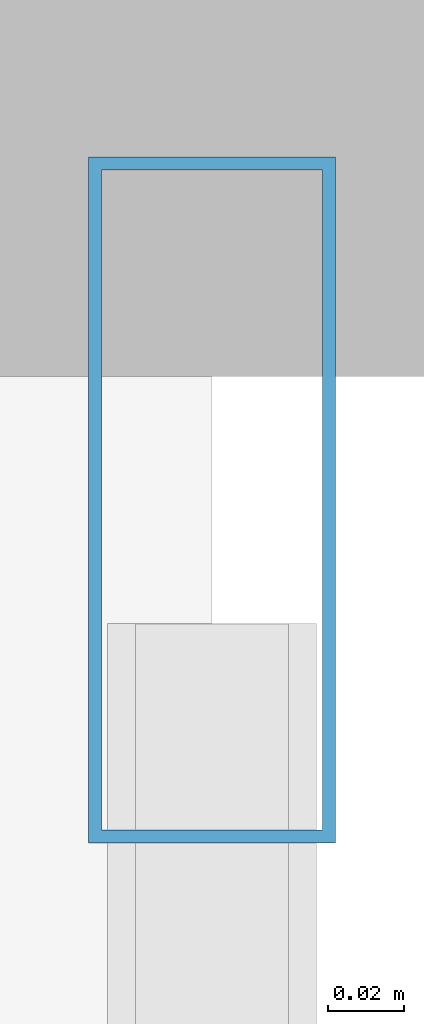
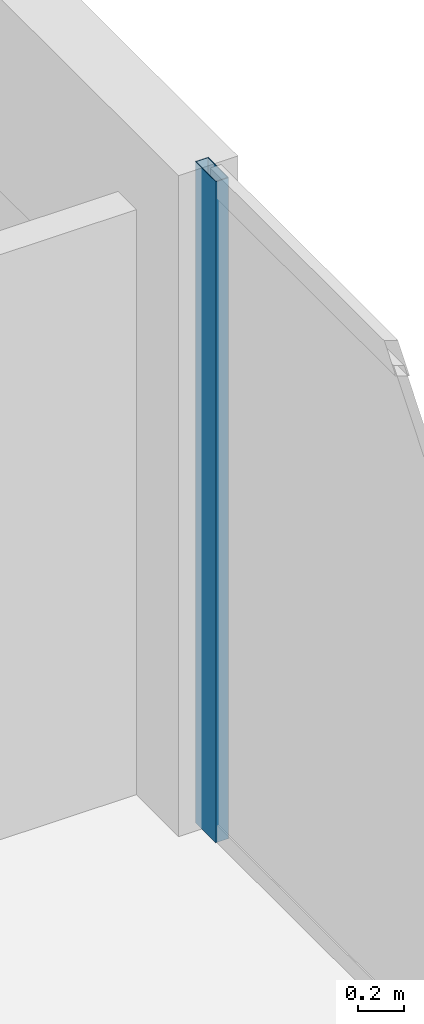
# One storey, part 21 of 32: 1 member, 1 element without a shape of its own.
"""IFC4 building model written with IfcOpenShell, lengths in metres."""

from ifc_helpers import new_model, si_unit, direction, frame, origin, origin_2d, place, context, subcontext, project, spatial, hollow_rectangle, extrude, material, layer, layer_set, material_profile, profile_set, type_object, element, aggregate, save


model = new_model("IFC4")

# Units and contexts
model_context = context("Model", 3, precision=1e-05, world=origin(), true_north=direction((0.0, 1.0)))
body_context = subcontext(model_context, "Body", "Model", "MODEL_VIEW")
ifc_project = project(units=[si_unit("LENGTHUNIT", "METRE"), si_unit("AREAUNIT", "SQUARE_METRE"), si_unit("VOLUMEUNIT", "CUBIC_METRE"), si_unit("PLANEANGLEUNIT", "RADIAN"), si_unit("MASSUNIT", "GRAM", prefix="KILO")], contexts=[model_context])

# Site, building, storey
site_placement = place(None, origin())
site = spatial("IfcSite", under=ifc_project, at=site_placement, CompositionType="ELEMENT")
building_placement = place(site_placement, origin())
building = spatial("IfcBuilding", under=site, at=building_placement, Name="Zuhayl Quay Hotel", CompositionType="ELEMENT")
storey_placement = place(building_placement, frame((0.0, 0.0, 177.39990234375)))
storey = spatial("IfcBuildingStorey", under=building, at=storey_placement, Name="L44", CompositionType="ELEMENT", Elevation=177.39990234375)

# Curtain wall, member
ifc_material_1 = material(Name="Anodised Aluminium 6063-T6", Category="aluminium")
ifc_layer = layer(ifc_material_1, 0.175048828125, Name="Anodised Aluminium 6063-T6", Category="aluminium")
ifc_layer_set = layer_set([ifc_layer], Name="Anodised Aluminium 6063-T6")
curtain_wall_type = type_object("IfcCurtainWallType", Name="CW_SYS_Z3", PredefinedType="USERDEFINED", material=ifc_layer_set)
curtain_wall_placement = place(storey_placement, origin())
curtain_wall = element("IfcCurtainWall", 1, at=curtain_wall_placement, inside=storey, type_object=curtain_wall_type, Name="L44 Curtain Wall ENV_L44_E11_CW1", ObjectType="UNITISED CURTAIN WALL", PredefinedType="USERDEFINED")
ifc_material_2 = material(Name="Black-anodised aluminium 6063-T6", Category="aluminium")
ifc_material_profile = material_profile(ifc_material_2, hollow_rectangle(XDim=0.06494140625, YDim=0.179931640625, WallThickness=0.00341796875, at=origin_2d()), Name="ALU180X65")
ifc_profile_set = profile_set([ifc_material_profile], Name="Black-anodised aluminium 6063-T6")
member_type = type_object("IfcMemberType", Name="MB_CW_MUL_180", PredefinedType="MULLION", material=ifc_profile_set)
member_placement = place(storey_placement, frame((22.10009765625, 24.517578125, 0.0), z_axis=(0.0, 0.0, 1.0), x_axis=(1.0, 0.0, 0.0)))
member = element("IfcMember", 2, at=member_placement, type_object=member_type, Name="CW-Z3 mullion 1", PredefinedType="MULLION", context=body_context, shape_type="SweptSolid", body=[
    extrude(hollow_rectangle(XDim=0.06494140625, YDim=0.179931640625, WallThickness=0.00341796875, at=origin_2d()), origin(), (0.0, 0.0, 1.0), 3.530029296875),
])
aggregate(curtain_wall, [member])

save(model, "model.ifc")
